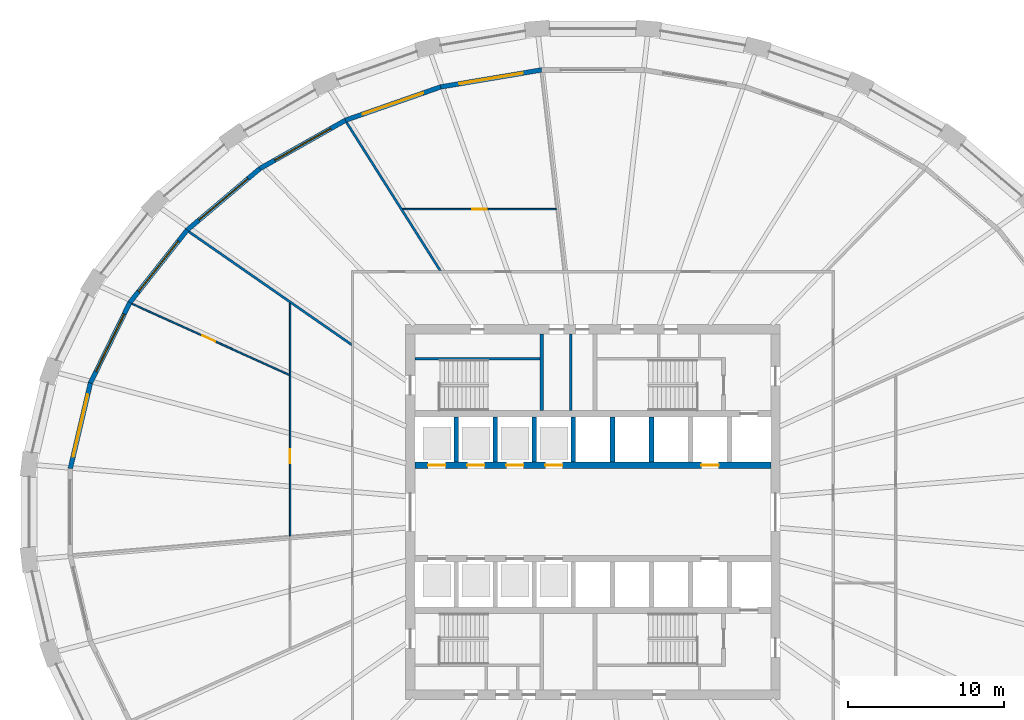
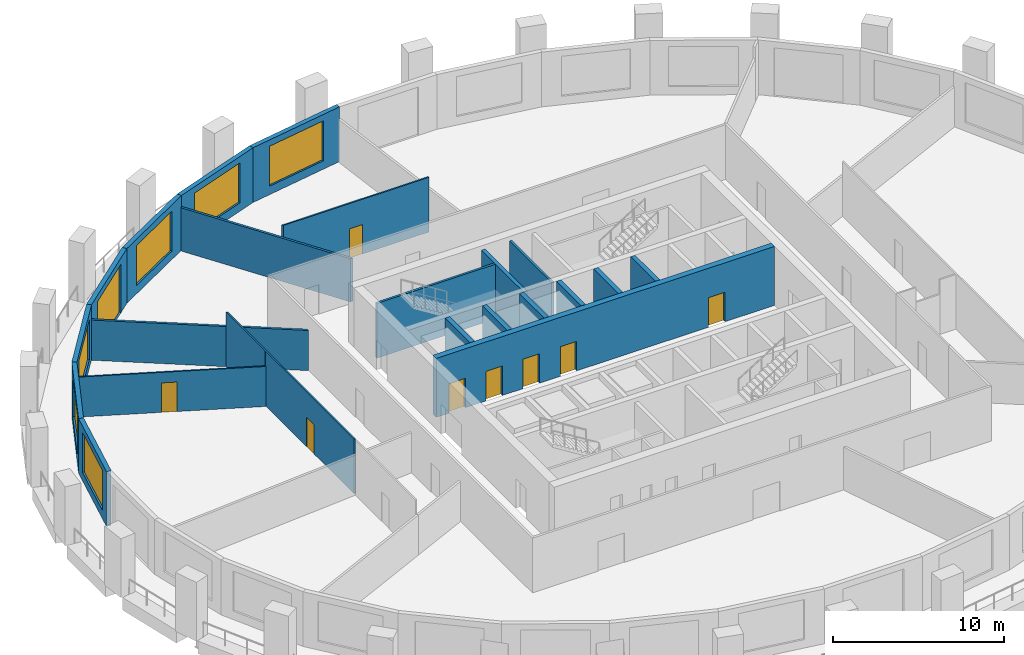
# One storey, part 5 of 10: 22 walls, 9 doors, 6 windows, 15 openings.
"""IFC4 building model written with IfcOpenShell, lengths in metres."""

from ifc_helpers import new_model, si_unit, direction, frame, frame_2d, origin, place, context, subcontext, project, spatial, polyline, rectangle, outline, extrude, material, layer, layer_set, type_object, element, fill, save


model = new_model("IFC4")

# Units and contexts
model_context = context("Model", 3, precision=1e-05, world=origin(), true_north=direction((0.0, 1.0)))
body_context = subcontext(model_context, "Body", "Model", "MODEL_VIEW")
ifc_project = project(units=[si_unit("LENGTHUNIT", "METRE"), si_unit("AREAUNIT", "SQUARE_METRE"), si_unit("VOLUMEUNIT", "CUBIC_METRE"), si_unit("PLANEANGLEUNIT", "RADIAN"), si_unit("MASSUNIT", "GRAM", prefix="KILO")], contexts=[model_context])

# Site, building, storey
site_placement = place(None, origin())
site = spatial("IfcSite", under=ifc_project, at=site_placement, CompositionType="ELEMENT")
building_placement = place(site_placement, origin())
building = spatial("IfcBuilding", under=site, at=building_placement, Name="Halqa Exchange Tower", CompositionType="ELEMENT")
storey_placement = place(building_placement, frame((0.0, 0.0, 86.5)))
storey = spatial("IfcBuildingStorey", under=building, at=storey_placement, Name="L19", CompositionType="ELEMENT", Elevation=86.5)

# Walls
ifc_material_1 = material(Name="Fire-rated gypsum board")
ifc_layer_1 = layer(ifc_material_1, 0.14990234375)
ifc_layer_set_1 = layer_set([ifc_layer_1], Name="Fire-rated gypsum board")
wall_type_1 = type_object("IfcWallType", Name="Fire partition EI 60 150", PredefinedType="PARTITIONING", material=ifc_layer_set_1)
wall_1_placement = place(storey_placement, frame((-25.888427734375, 17.96240234375, 0.0), z_axis=(0.0, 0.0, 1.0), x_axis=(0.821411896375, -0.570335424547, 0.0)))
element("IfcWall", 1, at=wall_1_placement, inside=storey, type_object=wall_type_1, Name="L19-PWL-003", PredefinedType="PARTITIONING", context=body_context, shape_type="SweptSolid", body=[
    extrude(outline(polyline([(0.0, -0.074951171875), (1.60107421875, -0.074951171875), (3.2021484375, -0.074951171875), (4.80322265625, -0.074951171875), (6.404541015625, -0.074951171875), (8.005615234375, -0.074951171875), (8.010009765625, -0.072021484375), (8.011962890625, -0.074951171875), (9.58447265625, -0.074951171875), (11.15673828125, -0.074951171875), (12.729248046875, -0.074951171875), (12.729248046875, -0.074462890625), (12.6787109375, -0.001708984375), (12.6787109375, -0.001708984375), (12.62548828125, 0.074951171875), (10.825439453125, 0.074951171875), (9.025390625, 0.074951171875), (7.225341796875, 0.074951171875), (5.42529296875, 0.074951171875), (3.625244140625, 0.074951171875), (1.8251953125, 0.074951171875), (0.025146484375, 0.074951171875), (0.00390625, -0.004150390625), (0.0, -0.066650390625), (0.0, -0.074951171875)])), origin(), (0.0, 0.0, 1.0), 2.860107421875),
])
wall_2_placement = place(storey_placement, frame((-15.789306640625, 24.9658203125, 0.0), z_axis=(0.0, 0.0, 1.0), x_axis=(0.53447919721, -0.845181630036, 0.0)))
element("IfcWall", 2, at=wall_2_placement, inside=storey, type_object=wall_type_1, Name="L19-PWL-008", PredefinedType="PARTITIONING", context=body_context, shape_type="SweptSolid", body=[
    extrude(outline(polyline([(0.0, -0.074951171875), (1.86376953125, -0.074951171875), (3.727294921875, -0.074951171875), (5.591064453125, -0.074951171875), (7.45458984375, -0.074951171875), (9.318359375, -0.074951171875), (11.181884765625, -0.074951171875), (11.276611328125, 0.07470703125), (11.276611328125, 0.074951171875), (9.748291015625, 0.074951171875), (8.22021484375, 0.074951171875), (6.69189453125, 0.074951171875), (6.690185546875, 0.072265625), (6.685791015625, 0.074951171875), (5.01953125, 0.074951171875), (3.353271484375, 0.074951171875), (1.687255859375, 0.074951171875), (0.02099609375, 0.074951171875), (0.003662109375, 0.000732421875), (0.0, -0.0732421875), (0.0, -0.074951171875)])), origin(), (0.0, 0.0, 1.0), 3.080078125),
])

# Wall, opening, door
ifc_material_2 = material(Name="Gypsum board")
ifc_layer_2 = layer(ifc_material_2, 0.10009765625)
ifc_layer_set_2 = layer_set([ifc_layer_2], Name="Gypsum board")
wall_type_2 = type_object("IfcWallType", Name="Partition 100 gypsum", PredefinedType="PARTITIONING", material=ifc_layer_set_2)
wall_3_placement = place(storey_placement, frame((-19.39990234375, -1.5419921875, 0.0), z_axis=(0.0, 0.0, 1.0), x_axis=(0.0, 1.0, 0.0)))
wall_3 = element("IfcWall", 3, at=wall_3_placement, inside=storey, type_object=wall_type_2, Name="L19-PWL-006", PredefinedType="PARTITIONING", context=body_context, shape_type="SweptSolid", body=[
    extrude(outline(polyline([(0.0078125, -0.050048828125), (1.865966796875, -0.050048828125), (3.72412109375, -0.050048828125), (5.582275390625, -0.050048828125), (7.440673828125, -0.050048828125), (9.298828125, -0.050048828125), (11.156982421875, -0.050048828125), (13.01513671875, -0.050048828125), (14.873291015625, -0.050048828125), (14.927001953125, 0.027587890625), (14.927001953125, 0.02734375), (14.9423828125, 0.049560546875), (14.9423828125, 0.050048828125), (13.42138671875, 0.050048828125), (11.900390625, 0.050048828125), (10.37939453125, 0.050048828125), (10.37841796875, 0.0478515625), (10.37353515625, 0.050048828125), (8.64453125, 0.050048828125), (6.915771484375, 0.050048828125), (5.186767578125, 0.050048828125), (3.457763671875, 0.050048828125), (1.72900390625, 0.050048828125), (0.0, 0.050048828125), (0.0, 0.044677734375), (0.0078125, -0.050048828125)])), origin(), (0.0, 0.0, 1.0), 3.89990234375),
])
opening_1_placement = place(wall_3_placement, frame((4.6669921875, 0.0, 0.0)))
opening_1 = element("IfcOpeningElement", 4, at=opening_1_placement, cuts=wall_3, Name="Opening 06-14", PredefinedType="OPENING", context=body_context, shape_type="SweptSolid", body=[
    extrude(rectangle(XDim=0.89990234375, YDim=2.10009765625, at=frame_2d((0.449951171875, 1.050048828125))), frame((0.0, 0.06201171875, 0.0), z_axis=(0.0, -1.0, 0.0), x_axis=(1.0, 0.0, 0.0)), (0.0, 0.0, 1.0), 0.1240234375),
])
ifc_material_3 = material(Name="Timber door leaf", Category="wood")
door_type_1 = type_object("IfcDoorType", Name="Door 900 x 2100", OperationType="SINGLE_SWING_LEFT", PredefinedType="DOOR", material=ifc_material_3)
door_1_placement = place(opening_1_placement, frame((0.89990234375, 0.0, 0.0), z_axis=(0.0, 0.0, 1.0), x_axis=(-1.0, 0.0, 0.0)))
door_1 = element("IfcDoor", 5, at=door_1_placement, inside=storey, type_object=door_type_1, Name="L19-IDR-014", OperationType="SINGLE_SWING_LEFT", OverallHeight=2.10009765625, OverallWidth=0.89990234375, PredefinedType="DOOR", context=body_context, shape_type="SweptSolid", body=[
    extrude(rectangle(XDim=0.89990234375, YDim=2.10009765625, at=frame_2d((0.449951171875, 1.050048828125))), frame((0.0, 0.02490234375, 0.0), z_axis=(0.0, -1.0, 0.0), x_axis=(1.0, 0.0, 0.0)), (0.0, 0.0, 1.0), 0.050048828125),
])
fill(opening_1, door_1)

wall_4_placement = place(storey_placement, frame((-19.4296875, 8.7734375, 0.0), z_axis=(0.0, 0.0, 1.0), x_axis=(-0.911086470292, 0.412215287987, 0.0)))
wall_4 = element("IfcWall", 6, at=wall_4_placement, inside=storey, type_object=wall_type_2, Name="L19-PWL-007", PredefinedType="PARTITIONING", context=body_context, shape_type="SweptSolid", body=[
    extrude(outline(polyline([(0.044921875, -0.050048828125), (1.8837890625, -0.050048828125), (3.722412109375, -0.050048828125), (5.561279296875, -0.050048828125), (7.39990234375, -0.050048828125), (9.23876953125, -0.050048828125), (11.077392578125, -0.050048828125), (11.090576171875, 0.00244140625), (11.092041015625, 0.050048828125), (9.243408203125, 0.050048828125), (7.394775390625, 0.050048828125), (5.5458984375, 0.050048828125), (3.697265625, 0.050048828125), (1.8486328125, 0.050048828125), (0.0, 0.050048828125), (0.0, 0.04931640625), (0.044921875, -0.050048828125)])), origin(), (0.0, 0.0, 1.0), 2.85009765625),
])
opening_2_placement = place(wall_4_placement, frame((5.23046875, 0.0, 0.0)))
opening_2 = element("IfcOpeningElement", 7, at=opening_2_placement, cuts=wall_4, Name="Opening 06-15", PredefinedType="OPENING", context=body_context, shape_type="SweptSolid", body=[
    extrude(rectangle(XDim=0.89990234375, YDim=2.10009765625, at=frame_2d((0.449951171875, 1.050048828125))), frame((0.0, 0.06201171875, 0.0), z_axis=(0.0, -1.0, 0.0), x_axis=(1.0, 0.0, 0.0)), (0.0, 0.0, 1.0), 0.1240234375),
])
door_2_placement = place(opening_2_placement, frame((0.89990234375, 0.0, 0.0), z_axis=(0.0, 0.0, 1.0), x_axis=(-1.0, 0.0, 0.0)))
door_2 = element("IfcDoor", 8, at=door_2_placement, inside=storey, type_object=door_type_1, Name="L19-IDR-015", OperationType="SINGLE_SWING_LEFT", OverallHeight=2.10009765625, OverallWidth=0.89990234375, PredefinedType="DOOR", context=body_context, shape_type="SweptSolid", body=[
    extrude(rectangle(XDim=0.89990234375, YDim=2.10009765625, at=frame_2d((0.449951171875, 1.050048828125))), frame((0.0, 0.02490234375, 0.0), z_axis=(0.0, -1.0, 0.0), x_axis=(1.0, 0.0, 0.0)), (0.0, 0.0, 1.0), 0.050048828125),
])
fill(opening_2, door_2)

wall_5_placement = place(storey_placement, frame((-12.2119140625, 19.39990234375, 0.0), z_axis=(0.0, 0.0, 1.0), x_axis=(1.0, 0.0, 0.0)))
wall_5 = element("IfcWall", 9, at=wall_5_placement, inside=storey, type_object=wall_type_2, Name="L19-PWL-012", PredefinedType="PARTITIONING", context=body_context, shape_type="SweptSolid", body=[
    extrude(outline(polyline([(9.8818359375, -0.050048828125), (9.8818359375, -0.046630859375), (9.87060546875, 0.050048828125), (7.896484375, 0.050048828125), (5.92236328125, 0.050048828125), (3.9482421875, 0.050048828125), (1.97412109375, 0.050048828125), (0.0, 0.050048828125), (0.0, 0.04931640625), (0.062744140625, -0.050048828125), (2.026611328125, -0.050048828125), (3.990478515625, -0.050048828125), (5.9541015625, -0.050048828125), (7.91796875, -0.050048828125), (9.8818359375, -0.050048828125)])), origin(), (0.0, 0.0, 1.0), 3.89990234375),
])
opening_3_placement = place(wall_5_placement, frame((4.4970703125, 0.0, 0.0)))
opening_3 = element("IfcOpeningElement", 10, at=opening_3_placement, cuts=wall_5, Name="Opening 06-13", PredefinedType="OPENING", context=body_context, shape_type="SweptSolid", body=[
    extrude(rectangle(XDim=0.89990234375, YDim=2.10009765625, at=frame_2d((0.449951171875, 1.050048828125))), frame((0.0, 0.06201171875, 0.0), z_axis=(0.0, -1.0, 0.0), x_axis=(1.0, 0.0, 0.0)), (0.0, 0.0, 1.0), 0.1240234375),
])
door_3_placement = place(opening_3_placement, frame((0.89990234375, 0.0, 0.0), z_axis=(0.0, 0.0, 1.0), x_axis=(-1.0, 0.0, 0.0)))
door_3 = element("IfcDoor", 11, at=door_3_placement, inside=storey, type_object=door_type_1, Name="L19-IDR-013", OperationType="SINGLE_SWING_RIGHT", OverallHeight=2.10009765625, OverallWidth=0.89990234375, PredefinedType="DOOR", context=body_context, shape_type="SweptSolid", body=[
    extrude(rectangle(XDim=0.89990234375, YDim=2.10009765625, at=frame_2d((0.449951171875, 1.050048828125))), frame((0.0, 0.02490234375, 0.0), z_axis=(0.0, -1.0, 0.0), x_axis=(1.0, 0.0, 0.0)), (0.0, 0.0, 1.0), 0.050048828125),
])
fill(opening_3, door_3)

# Walls
ifc_layer_3 = layer(ifc_material_2, 0.14990234375)
ifc_layer_set_3 = layer_set([ifc_layer_3], Name="Gypsum board")
wall_type_3 = type_object("IfcWallType", Name="Penthouse riser wall 150 gypsum", PredefinedType="PARTITIONING", material=ifc_layer_set_3)
wall_6_placement = place(storey_placement, frame((-1.425048828125, 6.5, 0.0), z_axis=(0.0, 0.0, 1.0), x_axis=(0.0, 1.0, 0.0)))
element("IfcWall", 12, at=wall_6_placement, inside=storey, type_object=wall_type_3, Name="Partition W1.425 N", PredefinedType="PARTITIONING", context=body_context, shape_type="SweptSolid", body=[
    extrude(rectangle(XDim=4.89990234375, YDim=0.14990234375, at=frame_2d((2.449951171875, 0.0))), origin(), (0.0, 0.0, 1.0), 3.89990234375),
])
ifc_material_4 = material(Name="Concrete C60/75", Category="concrete")
ifc_layer_4 = layer(ifc_material_4, 0.300048828125)
ifc_layer_set_4 = layer_set([ifc_layer_4], Name="Concrete C60/75")
wall_type_4 = type_object("IfcWallType", Name="RC core wall 300", PredefinedType="SHEAR", material=ifc_layer_set_4)
for number, where, z_axis, x_axis, name in (
    (13, (-8.75, 3.199951171875, 0.0), (0.0, 0.0, 1.0), (0.0, 1.0, 0.0), "Shaft divider N1"),
    (14, (-6.25, 3.199951171875, 0.0), (0.0, 0.0, 1.0), (0.0, 1.0, 0.0), "Shaft divider N2"),
    (15, (-3.75, 3.199951171875, 0.0), (0.0, 0.0, 1.0), (0.0, 1.0, 0.0), "Shaft divider N3"),
    (16, (-1.25, 3.199951171875, 0.0), (0.0, 0.0, 1.0), (0.0, 1.0, 0.0), "Shaft divider N4"),
    (17, (1.25, 3.199951171875, 0.0), (0.0, 0.0, 1.0), (0.0, 1.0, 0.0), "Shaft divider N5"),
    (18, (3.75, 3.199951171875, 0.0), (0.0, 0.0, 1.0), (0.0, 1.0, 0.0), "Shaft divider N6"),
):
    element("IfcWall", number, at=place(storey_placement, frame(where, z_axis=z_axis, x_axis=x_axis)), inside=storey, type_object=wall_type_4, Name=name, PredefinedType="SHEAR", context=body_context, shape_type="SweptSolid", body=[
        extrude(rectangle(XDim=2.900146484375, YDim=0.300048828125, at=frame_2d((1.4501953125, 0.0))), origin(), (0.0, 0.0, 1.0), 4.199951171875),
    ])

# Wall, openings, doors
ifc_material_5 = material(Name="Concrete C80/95", Category="concrete")
ifc_layer_5 = layer(ifc_material_5, 0.39990234375)
ifc_layer_set_5 = layer_set([ifc_layer_5], Name="Concrete C80/95")
wall_type_5 = type_object("IfcWallType", Name="RC core wall 400 C80/95", PredefinedType="SHEAR", material=ifc_layer_set_5)
wall_7_placement = place(storey_placement, frame((-11.39990234375, 3.0, 0.0), z_axis=(0.0, 0.0, 1.0), x_axis=(1.0, 0.0, 0.0)))
wall_7 = element("IfcWall", 19, at=wall_7_placement, inside=storey, type_object=wall_type_5, Name="Lift row front wall N", PredefinedType="SHEAR", context=body_context, shape_type="SweptSolid", body=[
    extrude(rectangle(XDim=22.7998046875, YDim=0.39990234375, at=frame_2d((11.39990234375, 0.0))), origin(), (0.0, 0.0, 1.0), 4.199951171875),
])
opening_4_placement = place(wall_7_placement, frame((0.85009765625, 0.0, 0.0)))
opening_4 = element("IfcOpeningElement", 20, at=opening_4_placement, cuts=wall_7, Name="Opening LD-LR1-T06", PredefinedType="OPENING", context=body_context, shape_type="SweptSolid", body=[
    extrude(rectangle(XDim=1.10009765625, YDim=2.10009765625, at=frame_2d((0.550048828125, 1.050048828125))), frame((0.0, 0.2119140625, 0.0), z_axis=(0.0, -1.0, 0.0), x_axis=(1.0, 0.0, 0.0)), (0.0, 0.0, 1.0), 0.423828125),
])
opening_5_placement = place(wall_7_placement, frame((3.35009765625, 0.0, 0.0)))
opening_5 = element("IfcOpeningElement", 21, at=opening_5_placement, cuts=wall_7, Name="Opening LD-LR2-T06", PredefinedType="OPENING", context=body_context, shape_type="SweptSolid", body=[
    extrude(rectangle(XDim=1.10009765625, YDim=2.10009765625, at=frame_2d((0.550048828125, 1.050048828125))), frame((0.0, 0.2119140625, 0.0), z_axis=(0.0, -1.0, 0.0), x_axis=(1.0, 0.0, 0.0)), (0.0, 0.0, 1.0), 0.423828125),
])
opening_6_placement = place(wall_7_placement, frame((5.85009765625, 0.0, 0.0)))
opening_6 = element("IfcOpeningElement", 22, at=opening_6_placement, cuts=wall_7, Name="Opening LD-LR3-T06", PredefinedType="OPENING", context=body_context, shape_type="SweptSolid", body=[
    extrude(rectangle(XDim=1.10009765625, YDim=2.10009765625, at=frame_2d((0.550048828125, 1.050048828125))), frame((0.0, 0.2119140625, 0.0), z_axis=(0.0, -1.0, 0.0), x_axis=(1.0, 0.0, 0.0)), (0.0, 0.0, 1.0), 0.423828125),
])
opening_7_placement = place(wall_7_placement, frame((8.35009765625, 0.0, 0.0)))
opening_7 = element("IfcOpeningElement", 23, at=opening_7_placement, cuts=wall_7, Name="Opening LD-LR4-T06", PredefinedType="OPENING", context=body_context, shape_type="SweptSolid", body=[
    extrude(rectangle(XDim=1.10009765625, YDim=2.10009765625, at=frame_2d((0.550048828125, 1.050048828125))), frame((0.0, 0.2119140625, 0.0), z_axis=(0.0, -1.0, 0.0), x_axis=(1.0, 0.0, 0.0)), (0.0, 0.0, 1.0), 0.423828125),
])
opening_8_placement = place(wall_7_placement, frame((18.35009765625, 0.0, 0.0)))
opening_8 = element("IfcOpeningElement", 24, at=opening_8_placement, cuts=wall_7, Name="Opening LD-SV1-T06", PredefinedType="OPENING", context=body_context, shape_type="SweptSolid", body=[
    extrude(rectangle(XDim=1.10009765625, YDim=2.10009765625, at=frame_2d((0.550048828125, 1.050048828125))), frame((0.0, 0.2119140625, 0.0), z_axis=(0.0, -1.0, 0.0), x_axis=(1.0, 0.0, 0.0)), (0.0, 0.0, 1.0), 0.423828125),
])
ifc_material_6 = material(Name="Stainless steel", Category="steel")
door_type_2 = type_object("IfcDoorType", Name="Lift landing door 1100 x 2100", OperationType="SLIDING_TO_LEFT", PredefinedType="DOOR", material=ifc_material_6)
door_4_placement = place(opening_4_placement, origin())
door_4 = element("IfcDoor", 25, at=door_4_placement, inside=storey, type_object=door_type_2, Name="Lift landing door LR1", OperationType="SLIDING_TO_LEFT", OverallHeight=2.10009765625, OverallWidth=1.10009765625, PredefinedType="DOOR", context=body_context, shape_type="SweptSolid", body=[
    extrude(rectangle(XDim=1.10009765625, YDim=2.10009765625, at=frame_2d((0.550048828125, 1.050048828125))), frame((0.0, 0.02490234375, 0.0), z_axis=(0.0, -1.0, 0.0), x_axis=(1.0, 0.0, 0.0)), (0.0, 0.0, 1.0), 0.050048828125),
])
fill(opening_4, door_4)
door_5_placement = place(opening_5_placement, origin())
door_5 = element("IfcDoor", 26, at=door_5_placement, inside=storey, type_object=door_type_2, Name="Lift landing door LR2", OperationType="SLIDING_TO_LEFT", OverallHeight=2.10009765625, OverallWidth=1.10009765625, PredefinedType="DOOR", context=body_context, shape_type="SweptSolid", body=[
    extrude(rectangle(XDim=1.10009765625, YDim=2.10009765625, at=frame_2d((0.550048828125, 1.050048828125))), frame((0.0, 0.02490234375, 0.0), z_axis=(0.0, -1.0, 0.0), x_axis=(1.0, 0.0, 0.0)), (0.0, 0.0, 1.0), 0.050048828125),
])
fill(opening_5, door_5)
door_6_placement = place(opening_6_placement, origin())
door_6 = element("IfcDoor", 27, at=door_6_placement, inside=storey, type_object=door_type_2, Name="Lift landing door LR3", OperationType="SLIDING_TO_LEFT", OverallHeight=2.10009765625, OverallWidth=1.10009765625, PredefinedType="DOOR", context=body_context, shape_type="SweptSolid", body=[
    extrude(rectangle(XDim=1.10009765625, YDim=2.10009765625, at=frame_2d((0.550048828125, 1.050048828125))), frame((0.0, 0.02490234375, 0.0), z_axis=(0.0, -1.0, 0.0), x_axis=(1.0, 0.0, 0.0)), (0.0, 0.0, 1.0), 0.050048828125),
])
fill(opening_6, door_6)
door_7_placement = place(opening_7_placement, origin())
door_7 = element("IfcDoor", 28, at=door_7_placement, inside=storey, type_object=door_type_2, Name="Lift landing door LR4", OperationType="SLIDING_TO_LEFT", OverallHeight=2.10009765625, OverallWidth=1.10009765625, PredefinedType="DOOR", context=body_context, shape_type="SweptSolid", body=[
    extrude(rectangle(XDim=1.10009765625, YDim=2.10009765625, at=frame_2d((0.550048828125, 1.050048828125))), frame((0.0, 0.02490234375, 0.0), z_axis=(0.0, -1.0, 0.0), x_axis=(1.0, 0.0, 0.0)), (0.0, 0.0, 1.0), 0.050048828125),
])
fill(opening_7, door_7)
door_8_placement = place(opening_8_placement, origin())
door_8 = element("IfcDoor", 29, at=door_8_placement, inside=storey, type_object=door_type_2, Name="Lift landing door SV1", OperationType="SLIDING_TO_LEFT", OverallHeight=2.10009765625, OverallWidth=1.10009765625, PredefinedType="DOOR", context=body_context, shape_type="SweptSolid", body=[
    extrude(rectangle(XDim=1.10009765625, YDim=2.10009765625, at=frame_2d((0.550048828125, 1.050048828125))), frame((0.0, 0.02490234375, 0.0), z_axis=(0.0, -1.0, 0.0), x_axis=(1.0, 0.0, 0.0)), (0.0, 0.0, 1.0), 0.050048828125),
])
fill(opening_8, door_8)

# Walls
ifc_material_7 = material(Name="Concrete C30/37", Category="concrete")
ifc_layer_6 = layer(ifc_material_7, 0.14990234375)
ifc_layer_set_6 = layer_set([ifc_layer_6], Name="Concrete C30/37")
wall_type_6 = type_object("IfcWallType", Name="RC stair wall 150 C30/37", PredefinedType="SHEAR", material=ifc_layer_set_6)
wall_8_placement = place(storey_placement, frame((-11.39990234375, 9.824951171875, 0.0), z_axis=(0.0, 0.0, 1.0), x_axis=(1.0, 0.0, 0.0)))
element("IfcWall", 30, at=wall_8_placement, inside=storey, type_object=wall_type_6, Name="Stair ST1 north wall N", PredefinedType="SHEAR", context=body_context, shape_type="SweptSolid", body=[
    extrude(rectangle(XDim=8.0, YDim=0.14990234375, at=frame_2d((4.0, 0.0))), origin(), (0.0, 0.0, 1.0), 3.89990234375),
])
ifc_layer_7 = layer(ifc_material_7, 0.25)
ifc_layer_set_7 = layer_set([ifc_layer_7], Name="Concrete C30/37")
wall_type_7 = type_object("IfcWallType", Name="RC stair wall 250 C30/37", PredefinedType="SHEAR", material=ifc_layer_set_7)
wall_9_placement = place(storey_placement, frame((-3.27490234375, 6.5, 0.0), z_axis=(0.0, 0.0, 1.0), x_axis=(0.0, 1.0, 0.0)))
element("IfcWall", 31, at=wall_9_placement, inside=storey, type_object=wall_type_7, Name="Stair ST1 east wall N", PredefinedType="SHEAR", context=body_context, shape_type="SweptSolid", body=[
    extrude(rectangle(XDim=4.89990234375, YDim=0.25, at=frame_2d((2.449951171875, 0.0))), origin(), (0.0, 0.0, 1.0), 3.89990234375),
])

# Wall, opening, window
ifc_material_8 = material(Name="Limestone cladding", Category="masonry")
ifc_layer_8 = layer(ifc_material_8, 0.0400390625)
ifc_material_9 = material(Name="Ventilated cavity")
ifc_layer_9 = layer(ifc_material_9, 0.030029296875, ventilated=True)
ifc_material_10 = material(Name="Mineral wool insulation")
ifc_layer_10 = layer(ifc_material_10, 0.10009765625)
ifc_layer_11 = layer(ifc_material_7, 0.10009765625)
ifc_material_11 = material(Name="Internal plaster")
ifc_layer_12 = layer(ifc_material_11, 0.030029296875)
ifc_layer_set_8 = layer_set([ifc_layer_8, ifc_layer_9, ifc_layer_10, ifc_layer_11, ifc_layer_12], Name="Stone-faced insulated wall 300")
wall_type_8 = type_object("IfcWallType", Name="Stone-faced insulated wall 300", PredefinedType="STANDARD", material=ifc_layer_set_8)
wall_10_placement = place(storey_placement, frame((-3.294921875, 28.319091796875, 0.0), z_axis=(0.0, 0.0, 1.0), x_axis=(-0.986162431544, -0.165781961053, 0.0)))
wall_10 = element("IfcWall", 32, at=wall_10_placement, inside=storey, type_object=wall_type_8, Name="Glass-line wall 9", PredefinedType="STANDARD", context=body_context, shape_type="SweptSolid", body=[
    extrude(outline(polyline([(-0.012451171875, -0.14990234375), (6.567626953125, -0.14990234375), (6.542236328125, 0.14990234375), (0.012451171875, 0.14990234375), (-0.012451171875, -0.14990234375)])), origin(), (0.0, 0.0, 1.0), 3.89990234375),
])
opening_9_placement = place(wall_10_placement, frame((1.227294921875, 0.0, 0.60009765625)))
opening_9 = element("IfcOpeningElement", 33, at=opening_9_placement, cuts=wall_10, Name="Opening W-F1-09", PredefinedType="OPENING", context=body_context, shape_type="SweptSolid", body=[
    extrude(rectangle(XDim=4.10009765625, YDim=2.85009765625, at=frame_2d((2.050048828125, 1.425048828125))), frame((0.0, 0.162109375, 0.0), z_axis=(0.0, -1.0, 0.0), x_axis=(1.0, 0.0, 0.0)), (0.0, 0.0, 1.0), 0.323974609375),
])
ifc_material_12 = material(Name="Clear low-emissivity glass in aluminium frame", Category="aluminium")
window_type = type_object("IfcWindowType", Name="Fixed clear glazed window 4100 x 2850", PartitioningType="TRIPLE_PANEL_VERTICAL", PredefinedType="WINDOW", material=ifc_material_12)
window_1_placement = place(opening_9_placement, origin())
window_1 = element("IfcWindow", 34, at=window_1_placement, inside=storey, type_object=window_type, Name="Window 1", OverallHeight=2.85009765625, OverallWidth=4.10009765625, PartitioningType="TRIPLE_PANEL_VERTICAL", PredefinedType="WINDOW", context=body_context, shape_type="SweptSolid", body=[
    extrude(rectangle(XDim=4.10009765625, YDim=2.85009765625, at=frame_2d((2.050048828125, 1.425048828125))), frame((0.0, 0.030029296875, 0.0), z_axis=(0.0, -1.0, 0.0), x_axis=(1.0, 0.0, 0.0)), (0.0, 0.0, 1.0), 0.06005859375),
])
fill(opening_9, window_1)

wall_11_placement = place(storey_placement, frame((-9.759033203125, 27.232421875, 0.0), z_axis=(0.0, 0.0, 1.0), x_axis=(-0.943820008365, -0.330459970057, 0.0)))
wall_11 = element("IfcWall", 35, at=wall_11_placement, inside=storey, type_object=wall_type_8, Name="Glass-line wall 10", PredefinedType="STANDARD", context=body_context, shape_type="SweptSolid", body=[
    extrude(outline(polyline([(-0.0126953125, -0.14990234375), (6.466064453125, -0.14990234375), (6.439208984375, 0.14990234375), (0.0126953125, 0.14990234375), (-0.0126953125, -0.14990234375)])), origin(), (0.0, 0.0, 1.0), 3.89990234375),
])
opening_10_placement = place(wall_11_placement, frame((1.17626953125, 0.0, 0.60009765625)))
opening_10 = element("IfcOpeningElement", 36, at=opening_10_placement, cuts=wall_11, Name="Opening W-F1-10", PredefinedType="OPENING", context=body_context, shape_type="SweptSolid", body=[
    extrude(rectangle(XDim=4.10009765625, YDim=2.85009765625, at=frame_2d((2.050048828125, 1.425048828125))), frame((0.0, 0.162109375, 0.0), z_axis=(0.0, -1.0, 0.0), x_axis=(1.0, 0.0, 0.0)), (0.0, 0.0, 1.0), 0.323974609375),
])
window_2_placement = place(opening_10_placement, origin())
window_2 = element("IfcWindow", 37, at=window_2_placement, inside=storey, type_object=window_type, Name="Window 1", OverallHeight=2.85009765625, OverallWidth=4.10009765625, PartitioningType="TRIPLE_PANEL_VERTICAL", PredefinedType="WINDOW", context=body_context, shape_type="SweptSolid", body=[
    extrude(rectangle(XDim=4.10009765625, YDim=2.85009765625, at=frame_2d((2.050048828125, 1.425048828125))), frame((0.0, 0.030029296875, 0.0), z_axis=(0.0, -1.0, 0.0), x_axis=(1.0, 0.0, 0.0)), (0.0, 0.0, 1.0), 0.06005859375),
])
fill(opening_10, window_2)

wall_12_placement = place(storey_placement, frame((-15.84912109375, 25.10009765625, 0.0), z_axis=(0.0, 0.0, 1.0), x_axis=(-0.870737550302, -0.491748023376, 0.0)))
wall_12 = element("IfcWall", 38, at=wall_12_placement, inside=storey, type_object=wall_type_8, Name="Glass-line wall 11", PredefinedType="STANDARD", context=body_context, shape_type="SweptSolid", body=[
    extrude(outline(polyline([(-0.013427734375, -0.14990234375), (6.310546875, -0.14990234375), (6.2822265625, 0.14990234375), (0.013427734375, 0.14990234375), (-0.013427734375, -0.14990234375)])), origin(), (0.0, 0.0, 1.0), 3.89990234375),
])
opening_11_placement = place(wall_12_placement, frame((1.09814453125, 0.0, 0.60009765625)))
opening_11 = element("IfcOpeningElement", 39, at=opening_11_placement, cuts=wall_12, Name="Opening W-F1-11", PredefinedType="OPENING", context=body_context, shape_type="SweptSolid", body=[
    extrude(rectangle(XDim=4.10009765625, YDim=2.85009765625, at=frame_2d((2.050048828125, 1.425048828125))), frame((0.0, 0.162109375, 0.0), z_axis=(0.0, -1.0, 0.0), x_axis=(1.0, 0.0, 0.0)), (0.0, 0.0, 1.0), 0.323974609375),
])
window_3_placement = place(opening_11_placement, origin())
window_3 = element("IfcWindow", 40, at=window_3_placement, inside=storey, type_object=window_type, Name="Window 1", OverallHeight=2.85009765625, OverallWidth=4.10009765625, PartitioningType="TRIPLE_PANEL_VERTICAL", PredefinedType="WINDOW", context=body_context, shape_type="SweptSolid", body=[
    extrude(rectangle(XDim=4.10009765625, YDim=2.85009765625, at=frame_2d((2.050048828125, 1.425048828125))), frame((0.0, 0.030029296875, 0.0), z_axis=(0.0, -1.0, 0.0), x_axis=(1.0, 0.0, 0.0)), (0.0, 0.0, 1.0), 0.06005859375),
])
fill(opening_11, window_3)

# Wall, opening, door
wall_13_placement = place(storey_placement, frame((-21.33154296875, 22.00390625, 0.0), z_axis=(0.0, 0.0, 1.0), x_axis=(-0.763753100684, -0.645508482667, 0.0)))
wall_13 = element("IfcWall", 41, at=wall_13_placement, inside=storey, type_object=wall_type_8, Name="Glass-line wall 12", PredefinedType="STANDARD", context=body_context, shape_type="SweptSolid", body=[
    extrude(outline(polyline([(-0.01416015625, -0.14990234375), (6.12255859375, -0.14990234375), (6.09228515625, 0.14990234375), (0.01416015625, 0.14990234375), (-0.01416015625, -0.14990234375)])), origin(), (0.0, 0.0, 1.0), 3.89990234375),
])
opening_12_placement = place(wall_13_placement, frame((1.003662109375, 0.0, 0.0)))
opening_12 = element("IfcOpeningElement", 42, at=opening_12_placement, cuts=wall_13, Name="Opening LG-F1-03", PredefinedType="OPENING", context=body_context, shape_type="SweptSolid", body=[
    extrude(rectangle(XDim=4.10009765625, YDim=3.449951171875, at=frame_2d((2.050048828125, 1.72509765625))), frame((0.0, 0.162109375, 0.0), z_axis=(0.0, -1.0, 0.0), x_axis=(1.0, 0.0, 0.0)), (0.0, 0.0, 1.0), 0.323974609375),
])
door_type_3 = type_object("IfcDoorType", Name="Glazed sliding loggia door 4100 x 3450", OperationType="DOUBLE_DOOR_SLIDING", PredefinedType="DOOR", material=ifc_material_12)
door_9_placement = place(opening_12_placement, origin())
door_9 = element("IfcDoor", 43, at=door_9_placement, inside=storey, type_object=door_type_3, Name="Loggia door 3", OperationType="DOUBLE_DOOR_SLIDING", OverallHeight=3.449951171875, OverallWidth=4.10009765625, PredefinedType="DOOR", context=body_context, shape_type="SweptSolid", body=[
    extrude(rectangle(XDim=4.10009765625, YDim=3.449951171875, at=frame_2d((2.050048828125, 1.72509765625))), frame((0.0, 0.02490234375, 0.0), z_axis=(0.0, -1.0, 0.0), x_axis=(1.0, 0.0, 0.0)), (0.0, 0.0, 1.0), 0.050048828125),
])
fill(opening_12, door_9)

# Wall, opening, window
wall_14_placement = place(storey_placement, frame((-25.99609375, 18.0615234375, 0.0), z_axis=(0.0, 0.0, 1.0), x_axis=(-0.620142219764, -0.784489405452, 0.0)))
wall_14 = element("IfcWall", 44, at=wall_14_placement, inside=storey, type_object=wall_type_8, Name="Glass-line wall 13", PredefinedType="STANDARD", context=body_context, shape_type="SweptSolid", body=[
    extrude(outline(polyline([(-0.01513671875, -0.14990234375), (5.928466796875, -0.14990234375), (5.896240234375, 0.14990234375), (0.01513671875, 0.14990234375), (-0.01513671875, -0.14990234375)])), origin(), (0.0, 0.0, 1.0), 3.89990234375),
])
opening_13_placement = place(wall_14_placement, frame((0.90625, 0.0, 0.60009765625)))
opening_13 = element("IfcOpeningElement", 45, at=opening_13_placement, cuts=wall_14, Name="Opening W-F1-13", PredefinedType="OPENING", context=body_context, shape_type="SweptSolid", body=[
    extrude(rectangle(XDim=4.10009765625, YDim=2.85009765625, at=frame_2d((2.050048828125, 1.425048828125))), frame((0.0, 0.162109375, 0.0), z_axis=(0.0, -1.0, 0.0), x_axis=(1.0, 0.0, 0.0)), (0.0, 0.0, 1.0), 0.323974609375),
])
window_4_placement = place(opening_13_placement, origin())
window_4 = element("IfcWindow", 46, at=window_4_placement, inside=storey, type_object=window_type, Name="Window 1", OverallHeight=2.85009765625, OverallWidth=4.10009765625, PartitioningType="TRIPLE_PANEL_VERTICAL", PredefinedType="WINDOW", context=body_context, shape_type="SweptSolid", body=[
    extrude(rectangle(XDim=4.10009765625, YDim=2.85009765625, at=frame_2d((2.050048828125, 1.425048828125))), frame((0.0, 0.030029296875, 0.0), z_axis=(0.0, -1.0, 0.0), x_axis=(1.0, 0.0, 0.0)), (0.0, 0.0, 1.0), 0.06005859375),
])
fill(opening_13, window_4)

wall_15_placement = place(storey_placement, frame((-29.66259765625, 13.42333984375, 0.0), z_axis=(0.0, 0.0, 1.0), x_axis=(-0.44010747541, -0.897945104162, 0.0)))
wall_15 = element("IfcWall", 47, at=wall_15_placement, inside=storey, type_object=wall_type_8, Name="Glass-line wall 14", PredefinedType="STANDARD", context=body_context, shape_type="SweptSolid", body=[
    extrude(outline(polyline([(-0.01611328125, -0.14990234375), (5.7587890625, -0.14990234375), (5.72509765625, 0.14990234375), (0.01611328125, 0.14990234375), (-0.01611328125, -0.14990234375)])), origin(), (0.0, 0.0, 1.0), 3.89990234375),
])
opening_14_placement = place(wall_15_placement, frame((0.821044921875, 0.0, 0.60009765625)))
opening_14 = element("IfcOpeningElement", 48, at=opening_14_placement, cuts=wall_15, Name="Opening W-F1-14", PredefinedType="OPENING", context=body_context, shape_type="SweptSolid", body=[
    extrude(rectangle(XDim=4.10009765625, YDim=2.85009765625, at=frame_2d((2.050048828125, 1.425048828125))), frame((0.0, 0.162109375, 0.0), z_axis=(0.0, -1.0, 0.0), x_axis=(1.0, 0.0, 0.0)), (0.0, 0.0, 1.0), 0.323974609375),
])
window_5_placement = place(opening_14_placement, origin())
window_5 = element("IfcWindow", 49, at=window_5_placement, inside=storey, type_object=window_type, Name="Window 1", OverallHeight=2.85009765625, OverallWidth=4.10009765625, PartitioningType="TRIPLE_PANEL_VERTICAL", PredefinedType="WINDOW", context=body_context, shape_type="SweptSolid", body=[
    extrude(rectangle(XDim=4.10009765625, YDim=2.85009765625, at=frame_2d((2.050048828125, 1.425048828125))), frame((0.0, 0.030029296875, 0.0), z_axis=(0.0, -1.0, 0.0), x_axis=(1.0, 0.0, 0.0)), (0.0, 0.0, 1.0), 0.06005859375),
])
fill(opening_14, window_5)

wall_16_placement = place(storey_placement, frame((-32.189697265625, 8.267333984375, 0.0), z_axis=(0.0, 0.0, 1.0), x_axis=(-0.229073200999, -0.973409198941, 0.0)))
wall_16 = element("IfcWall", 50, at=wall_16_placement, inside=storey, type_object=wall_type_8, Name="Glass-line wall 15", PredefinedType="STANDARD", context=body_context, shape_type="SweptSolid", body=[
    extrude(outline(polyline([(-0.016845703125, -0.14990234375), (5.642578125, -0.14990234375), (5.60791015625, 0.14990234375), (0.016845703125, 0.14990234375), (-0.016845703125, -0.14990234375)])), origin(), (0.0, 0.0, 1.0), 3.89990234375),
])
opening_15_placement = place(wall_16_placement, frame((0.7626953125, 0.0, 0.60009765625)))
opening_15 = element("IfcOpeningElement", 51, at=opening_15_placement, cuts=wall_16, Name="Opening W-F1-15", PredefinedType="OPENING", context=body_context, shape_type="SweptSolid", body=[
    extrude(rectangle(XDim=4.10009765625, YDim=2.85009765625, at=frame_2d((2.050048828125, 1.425048828125))), frame((0.0, 0.162109375, 0.0), z_axis=(0.0, -1.0, 0.0), x_axis=(1.0, 0.0, 0.0)), (0.0, 0.0, 1.0), 0.323974609375),
])
window_6_placement = place(opening_15_placement, origin())
window_6 = element("IfcWindow", 52, at=window_6_placement, inside=storey, type_object=window_type, Name="Window 1", OverallHeight=2.85009765625, OverallWidth=4.10009765625, PartitioningType="TRIPLE_PANEL_VERTICAL", PredefinedType="WINDOW", context=body_context, shape_type="SweptSolid", body=[
    extrude(rectangle(XDim=4.10009765625, YDim=2.85009765625, at=frame_2d((2.050048828125, 1.425048828125))), frame((0.0, 0.030029296875, 0.0), z_axis=(0.0, -1.0, 0.0), x_axis=(1.0, 0.0, 0.0)), (0.0, 0.0, 1.0), 0.06005859375),
])
fill(opening_15, window_6)

save(model, "model.ifc")
